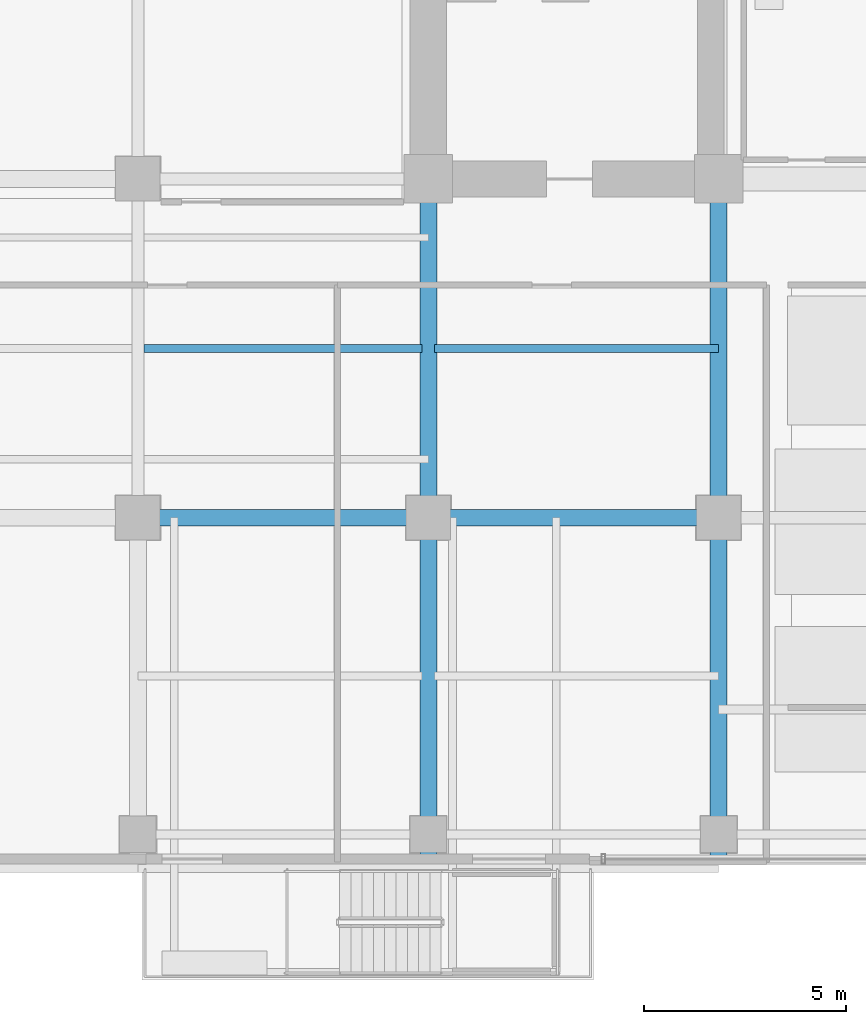
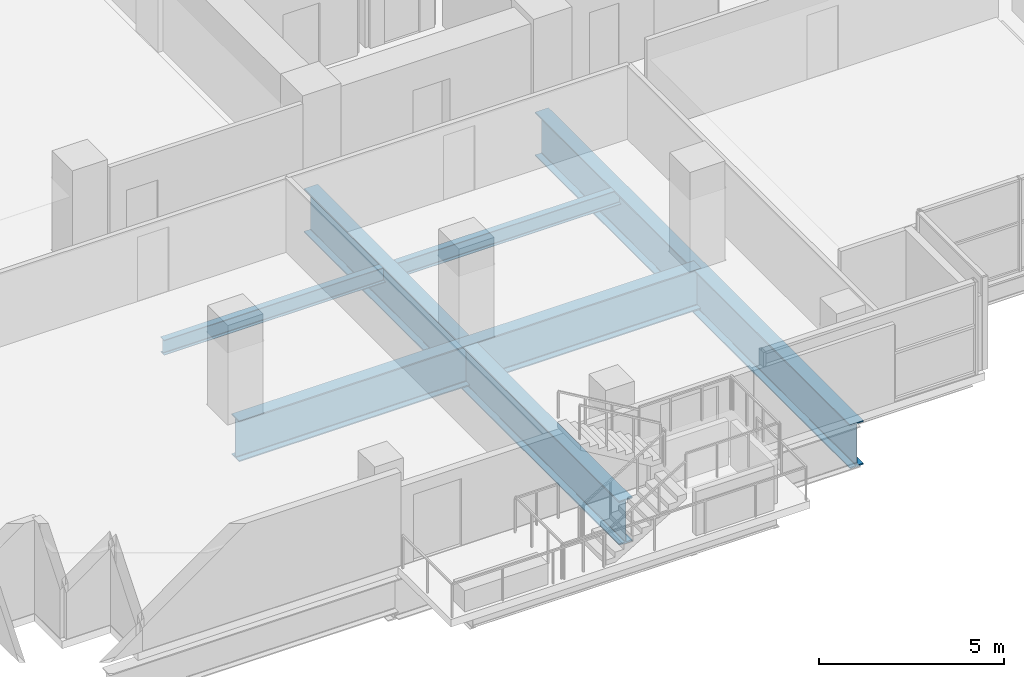
# One storey, part 4 of 32: 5 beams.
"""IFC4 building model written with IfcOpenShell, lengths in metres."""

from ifc_helpers import new_model, si_unit, direction, frame, origin, origin_2d, place, context, subcontext, project, spatial, i_section, extrude, material, material_profile, profile_set, type_object, element, save


model = new_model("IFC4")

# Units and contexts
model_context = context("Model", 3, precision=1e-05, world=origin(), true_north=direction((0.0, 1.0)))
body_context = subcontext(model_context, "Body", "Model", "MODEL_VIEW")
ifc_project = project(units=[si_unit("LENGTHUNIT", "METRE"), si_unit("AREAUNIT", "SQUARE_METRE"), si_unit("VOLUMEUNIT", "CUBIC_METRE"), si_unit("PLANEANGLEUNIT", "RADIAN"), si_unit("MASSUNIT", "GRAM", prefix="KILO")], contexts=[model_context])

# Site, building, storey
site_placement = place(None, origin())
site = spatial("IfcSite", under=ifc_project, at=site_placement, CompositionType="ELEMENT")
building_placement = place(site_placement, origin())
building = spatial("IfcBuilding", under=site, at=building_placement, Name="Zarnakvel Exchange Tower", CompositionType="ELEMENT")
storey_placement = place(building_placement, frame((0.0, 0.0, 27.39990234375)))
storey = spatial("IfcBuildingStorey", under=building, at=storey_placement, Name="L06", CompositionType="ELEMENT", Elevation=27.39990234375)

# Beams
ifc_material_1 = material(Name="Steel S355", Category="steel")
ifc_material_profile_1 = material_profile(ifc_material_1, i_section(OverallWidth=0.199951171875, OverallDepth=0.5, WebThickness=0.01025390625, FlangeThickness=0.01611328125, FilletRadius=0.02099609375, at=origin_2d()))
ifc_profile_set_1 = profile_set([ifc_material_profile_1], Name="Steel S355")
beam_type_1 = type_object("IfcBeamType", Name="B-04", PredefinedType="JOIST", material=ifc_profile_set_1)
beam_1_placement = place(storey_placement, frame((-21.449951171875, -5.39990234375, -0.5), z_axis=(1.0, 0.0, 0.0), x_axis=(0.0, 1.0, 0.0)))
element("IfcBeam", 1, at=beam_1_placement, inside=storey, type_object=beam_type_1, Name="L06 Composite Floor Secondary Joist", PredefinedType="JOIST", context=body_context, shape_type="SweptSolid", body=[
    extrude(i_section(OverallWidth=0.199951171875, OverallDepth=0.5, WebThickness=0.01025390625, FlangeThickness=0.01611328125, FilletRadius=0.02099609375, at=origin_2d()), origin(), (0.0, 0.0, 1.0), 6.89501953125),
])
beam_2_placement = place(storey_placement, frame((-14.2451171875, -5.39990234375, -0.5), z_axis=(1.0, 0.0, 0.0), x_axis=(0.0, 1.0, 0.0)))
element("IfcBeam", 2, at=beam_2_placement, inside=storey, type_object=beam_type_1, Name="L06 Composite Floor Secondary Joist", PredefinedType="JOIST", context=body_context, shape_type="SweptSolid", body=[
    extrude(i_section(OverallWidth=0.199951171875, OverallDepth=0.5, WebThickness=0.01025390625, FlangeThickness=0.01611328125, FilletRadius=0.02099609375, at=origin_2d()), origin(), (0.0, 0.0, 1.0), 7.045166015625),
])
ifc_material_2 = material(Name="Steel S460", Category="steel")
ifc_material_profile_2 = material_profile(ifc_material_2, i_section(OverallWidth=0.419921875, OverallDepth=1.449951171875, WebThickness=0.02392578125, FlangeThickness=0.0400390625, FilletRadius=0.030029296875, at=origin_2d()))
ifc_profile_set_2 = profile_set([ifc_material_profile_2], Name="Steel S460")
beam_type_2 = type_object("IfcBeamType", Name="TG-01", PredefinedType="BEAM", material=ifc_profile_set_2)
for number, where, z_axis, x_axis, name in (
    (3, (-14.39990234375, -18.199951171875, -0.974853515625), (0.0, 1.0, 0.0), (-1.0, 0.0, 0.0), "L06 Transfer Girder TG-01 Outer West"),
    (4, (-7.199951171875, -18.199951171875, -0.974853515625), (0.0, 1.0, 0.0), (-1.0, 0.0, 0.0), "L06 Transfer Girder TG-01 Inner West"),
):
    element("IfcBeam", number, at=place(storey_placement, frame(where, z_axis=z_axis, x_axis=x_axis)), inside=storey, type_object=beam_type_2, Name=name, PredefinedType="BEAM", context=body_context, shape_type="SweptSolid", body=[
        extrude(i_section(OverallWidth=0.419921875, OverallDepth=1.449951171875, WebThickness=0.02392578125, FlangeThickness=0.0400390625, FilletRadius=0.030029296875, at=origin_2d()), origin(), (0.0, 0.0, 1.0), 17.0),
    ])
ifc_material_profile_3 = material_profile(ifc_material_2, i_section(OverallWidth=0.39990234375, OverallDepth=1.35009765625, WebThickness=0.02197265625, FlangeThickness=0.0380859375, FilletRadius=0.030029296875, at=origin_2d()))
ifc_profile_set_3 = profile_set([ifc_material_profile_3], Name="Steel S460")
beam_type_3 = type_object("IfcBeamType", Name="TG-02", PredefinedType="BEAM", material=ifc_profile_set_3)
beam_3_placement = place(storey_placement, frame((-21.60009765625, -9.60009765625, -0.9248046875), z_axis=(1.0, 0.0, 0.0), x_axis=(0.0, 1.0, 0.0)))
element("IfcBeam", 5, at=beam_3_placement, inside=storey, type_object=beam_type_3, Name="L06 Transfer Girder TG-02 Grid-C West", PredefinedType="BEAM", context=body_context, shape_type="SweptSolid", body=[
    extrude(i_section(OverallWidth=0.39990234375, OverallDepth=1.35009765625, WebThickness=0.02197265625, FlangeThickness=0.0380859375, FilletRadius=0.030029296875, at=origin_2d()), origin(), (0.0, 0.0, 1.0), 14.400146484375),
])

save(model, "model.ifc")
